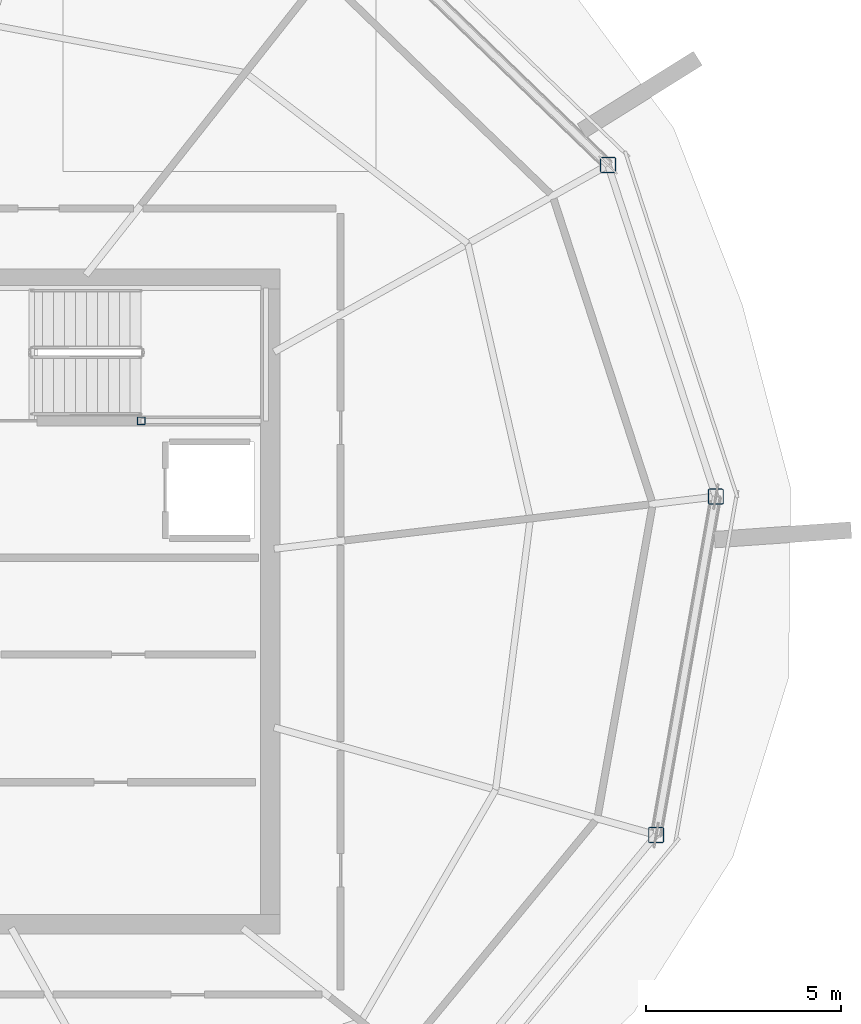
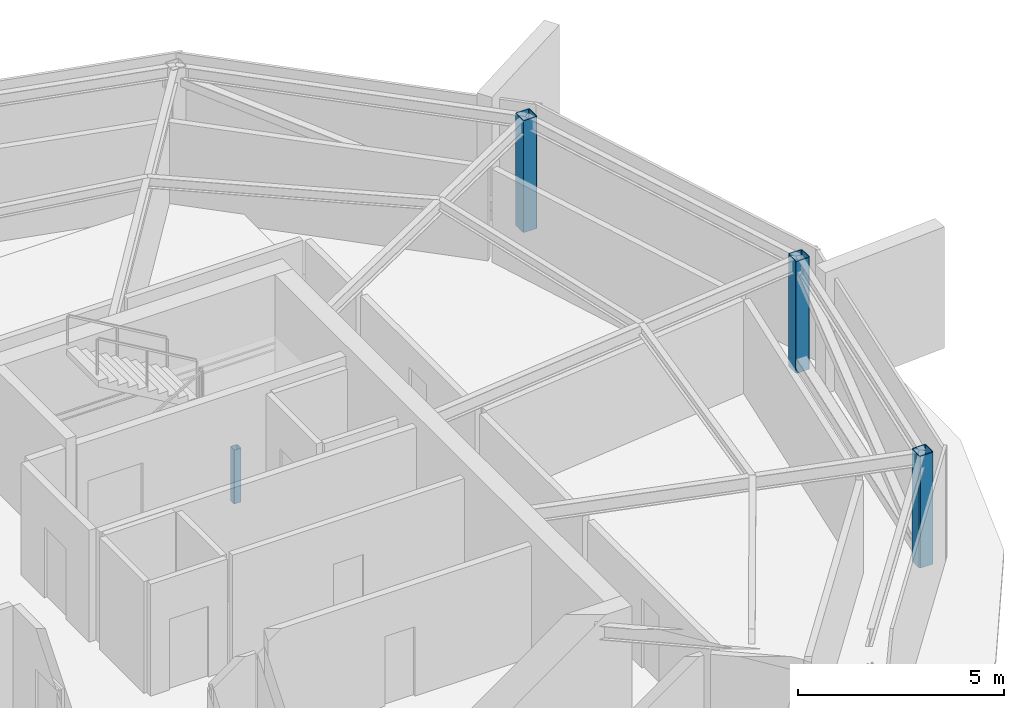
# One storey, part 3 of 10: 4 columns.
"""IFC4 building model written with IfcOpenShell, lengths in metres."""

from ifc_helpers import new_model, si_unit, direction, frame, origin, origin_2d, place, context, subcontext, project, spatial, hollow_rectangle, extrude, material, material_profile, profile_set, type_object, element, save


model = new_model("IFC4")

# Units and contexts
model_context = context("Model", 3, precision=1e-05, world=origin(), true_north=direction((0.0, 1.0)))
body_context = subcontext(model_context, "Body", "Model", "MODEL_VIEW")
ifc_project = project(units=[si_unit("LENGTHUNIT", "METRE"), si_unit("AREAUNIT", "SQUARE_METRE"), si_unit("VOLUMEUNIT", "CUBIC_METRE"), si_unit("PLANEANGLEUNIT", "RADIAN"), si_unit("MASSUNIT", "GRAM", prefix="KILO")], contexts=[model_context])

# Site, building, storey
site_placement = place(None, origin())
site = spatial("IfcSite", under=ifc_project, at=site_placement, CompositionType="ELEMENT")
building_placement = place(site_placement, origin())
building = spatial("IfcBuilding", under=site, at=building_placement, Name="Kazma Halo Residences", CompositionType="ELEMENT")
storey_placement = place(building_placement, frame((0.0, 0.0, 363.199951171875)))
storey = spatial("IfcBuildingStorey", under=building, at=storey_placement, Name="L91", CompositionType="ELEMENT", Elevation=363.199951171875)

# Columns
ifc_material = material(Name="Steel S355", Category="steel")
ifc_material_profile_1 = material_profile(ifc_material, hollow_rectangle(XDim=0.39990234375, YDim=0.39990234375, WallThickness=0.02001953125, InnerFilletRadius=0.02001953125, OuterFilletRadius=0.0400390625, at=origin_2d()), Name="SHS400x400x20")
ifc_profile_set_1 = profile_set([ifc_material_profile_1], Name="Steel S355")
column_type_1 = type_object("IfcColumnType", Name="COL-CROWN-SHS400", PredefinedType="COLUMN", material=ifc_profile_set_1)
for number, where, z_axis, x_axis, name in (
    (1, (67.940673828125, 53.167236328125, 0.0), (0.0, 0.0, 1.0), (1.0, 0.0, 0.0), "L91 CROWN FRAME perimeter column P01"),
    (2, (69.169921875, 36.029541015625, 0.0), (0.0, 0.0, 1.0), (1.0, 0.0, 0.0), "L91 CROWN FRAME perimeter column P15"),
    (3, (70.6962890625, 44.686279296875, 0.0), (0.0, 0.0, 1.0), (1.0, 0.0, 0.0), "L91 CROWN FRAME perimeter column P16"),
):
    element("IfcColumn", number, at=place(storey_placement, frame(where, z_axis=z_axis, x_axis=x_axis)), inside=storey, type_object=column_type_1, Name=name, PredefinedType="COLUMN", context=body_context, shape_type="SweptSolid", body=[
        extrude(hollow_rectangle(XDim=0.39990234375, YDim=0.39990234375, WallThickness=0.02001953125, InnerFilletRadius=0.02001953125, OuterFilletRadius=0.0400390625, at=origin_2d()), origin(), (0.0, 0.0, 1.0), 3.320068359375),
    ])
ifc_material_profile_2 = material_profile(ifc_material, hollow_rectangle(XDim=0.199951171875, YDim=0.199951171875, WallThickness=0.010009765625, InnerFilletRadius=0.010009765625, OuterFilletRadius=0.02001953125, at=origin_2d()), Name="SHS200x200x10")
ifc_profile_set_2 = profile_set([ifc_material_profile_2], Name="Steel S355")
column_type_2 = type_object("IfcColumnType", Name="COL-LP-SHS200", PredefinedType="COLUMN", material=ifc_profile_set_2)
column_placement = place(storey_placement, frame((56.0, 46.6201171875, 0.0), z_axis=(0.0, 0.0, 1.0), x_axis=(1.0, 0.0, 0.0)))
element("IfcColumn", 4, at=column_placement, inside=storey, type_object=column_type_2, Name="L91 ST-02 landing pilaster 1", PredefinedType="COLUMN", context=body_context, shape_type="SweptSolid", body=[
    extrude(hollow_rectangle(XDim=0.199951171875, YDim=0.199951171875, WallThickness=0.010009765625, InnerFilletRadius=0.010009765625, OuterFilletRadius=0.02001953125, at=origin_2d()), origin(), (0.0, 0.0, 1.0), 1.594970703125),
])

save(model, "model.ifc")
